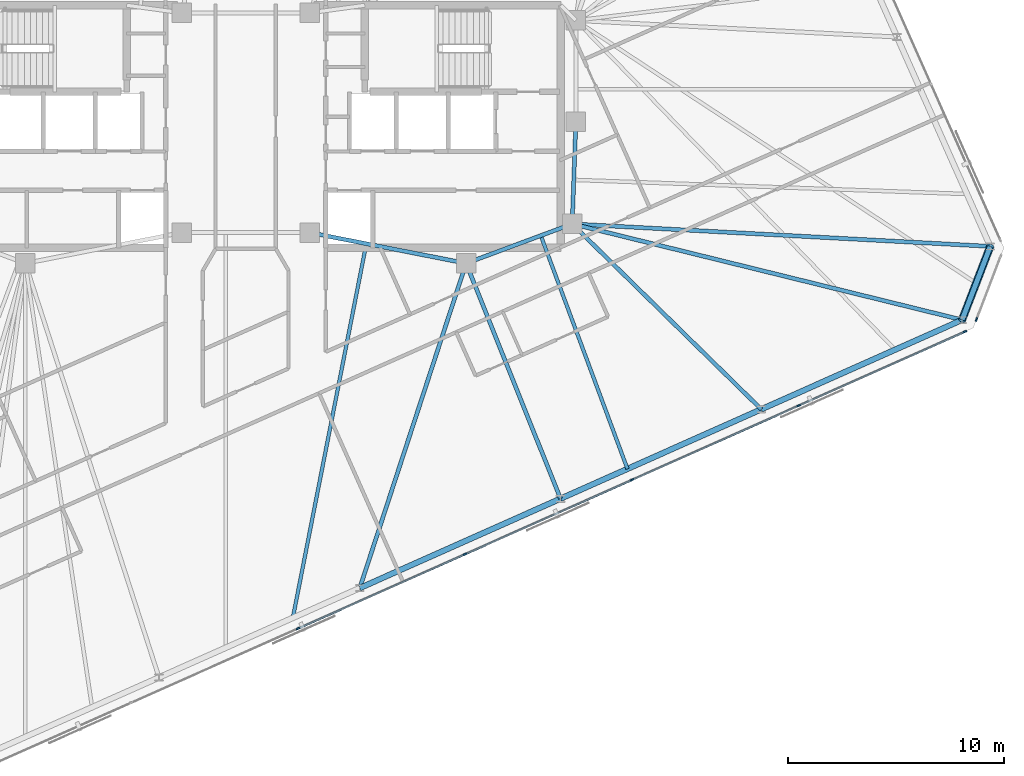
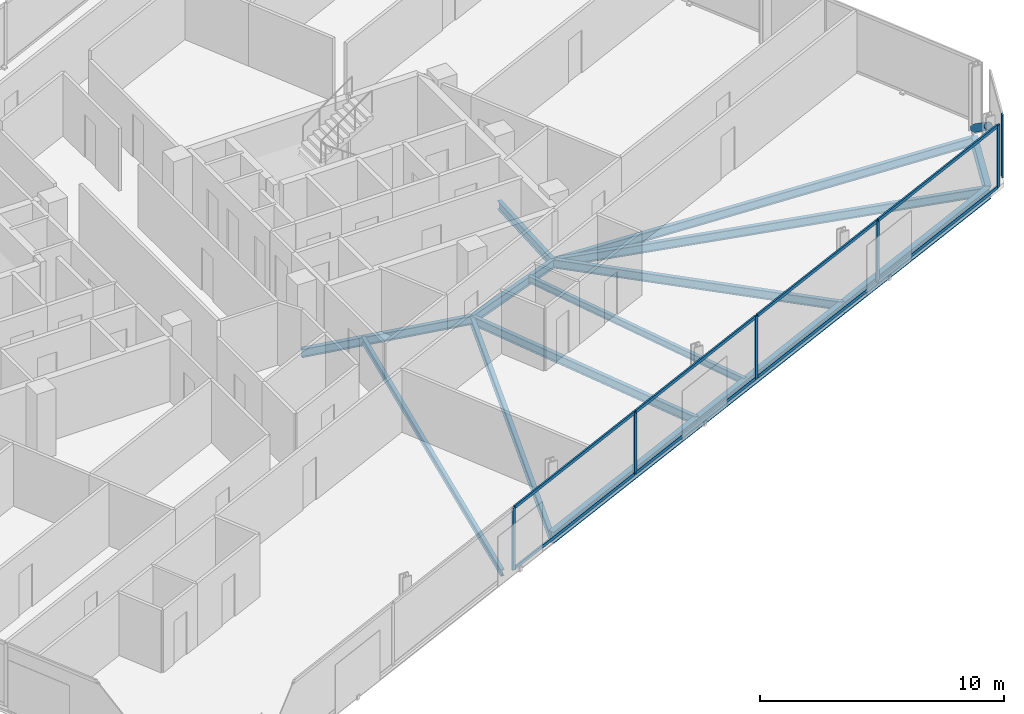
# One storey, part 7 of 18: 15 members, 14 beams, 2 elements without a shape of their own.
"""IFC4 building model written with IfcOpenShell, lengths in metres."""

from ifc_helpers import new_model, si_unit, direction, frame, origin, origin_2d, place, context, subcontext, project, spatial, rectangle, hollow_circle, i_section, extrude, material, material_profile, profile_set, type_object, element, aggregate, save


model = new_model("IFC4")

# Units and contexts
model_context = context("Model", 3, precision=1e-05, world=origin(), true_north=direction((0.0, 1.0)))
body_context = subcontext(model_context, "Body", "Model", "MODEL_VIEW")
ifc_project = project(units=[si_unit("LENGTHUNIT", "METRE"), si_unit("AREAUNIT", "SQUARE_METRE"), si_unit("VOLUMEUNIT", "CUBIC_METRE"), si_unit("PLANEANGLEUNIT", "RADIAN"), si_unit("MASSUNIT", "GRAM", prefix="KILO")], contexts=[model_context])

# Site, building, storey
site_placement = place(None, origin())
site = spatial("IfcSite", under=ifc_project, at=site_placement, CompositionType="ELEMENT")
building_placement = place(site_placement, origin())
building = spatial("IfcBuilding", under=site, at=building_placement, Name="Menara Jurai Vektor", CompositionType="ELEMENT")
storey_placement = place(building_placement, frame((0.0, 0.0, 285.25)))
storey = spatial("IfcBuildingStorey", under=building, at=storey_placement, Name="L76", CompositionType="ELEMENT", Elevation=285.25)

# Curtain wall, members
ifc_material_1 = material(Name="Anodised Pale Aluminium & Low-E Double Glazing", Category="aluminium")
curtain_wall_type = type_object("IfcCurtainWallType", Name="CW-BLK5", PredefinedType="NOTDEFINED", material=ifc_material_1)
curtain_wall_1_placement = place(storey_placement, origin())
curtain_wall_1 = element("IfcCurtainWall", 1, at=curtain_wall_1_placement, inside=storey, type_object=curtain_wall_type, Name="Unitised Curtain Wall L76 F01", PredefinedType="NOTDEFINED")
ifc_material_2 = material(Name="Anodised Pale Aluminium Mullion", Category="aluminium")
ifc_material_profile_1 = material_profile(ifc_material_2, rectangle(XDim=0.074951171875, YDim=0.175048828125, at=origin_2d()), Name="ALU MUL 75x175")
ifc_profile_set_1 = profile_set([ifc_material_profile_1], Name="Anodised Pale Aluminium Mullion")
member_type_1 = type_object("IfcMemberType", Name="CW-BLK5-MUL", PredefinedType="MULLION", material=ifc_profile_set_1)
member_1_placement = place(storey_placement, frame((2.417724609375, -23.190185546875, 0.0), z_axis=(0.0, 0.0, 1.0), x_axis=(-0.406735498684, 0.913545967158, 0.0)))
member_1 = element("IfcMember", 2, at=member_1_placement, type_object=member_type_1, Name="CW-05 mullion 3", PredefinedType="MULLION", context=body_context, shape_type="SweptSolid", body=[
    extrude(rectangle(XDim=0.074951171875, YDim=0.175048828125, at=origin_2d()), origin(), (0.0, 0.0, 1.0), 3.125),
])
member_2_placement = place(storey_placement, frame((10.1279296875, -19.75732421875, 0.0), z_axis=(0.0, 0.0, 1.0), x_axis=(-0.406735498684, 0.913545967158, 0.0)))
member_2 = element("IfcMember", 3, at=member_2_placement, type_object=member_type_1, Name="CW-05 mullion 4", PredefinedType="MULLION", context=body_context, shape_type="SweptSolid", body=[
    extrude(rectangle(XDim=0.074951171875, YDim=0.175048828125, at=origin_2d()), origin(), (0.0, 0.0, 1.0), 3.125),
])
member_3_placement = place(storey_placement, frame((17.83837890625, -16.324462890625, 0.0), z_axis=(0.0, 0.0, 1.0), x_axis=(-0.406735498684, 0.913545967158, 0.0)))
member_3 = element("IfcMember", 4, at=member_3_placement, type_object=member_type_1, Name="CW-05 mullion 5", PredefinedType="MULLION", context=body_context, shape_type="SweptSolid", body=[
    extrude(rectangle(XDim=0.074951171875, YDim=0.175048828125, at=origin_2d()), origin(), (0.0, 0.0, 1.0), 3.125),
])
member_4_placement = place(storey_placement, frame((25.548583984375, -12.8916015625, 0.0), z_axis=(0.0, 0.0, 1.0), x_axis=(-0.406735498684, 0.913545967158, 0.0)))
member_4 = element("IfcMember", 5, at=member_4_placement, type_object=member_type_1, Name="CW-05 mullion 6", PredefinedType="MULLION", context=body_context, shape_type="SweptSolid", body=[
    extrude(rectangle(XDim=0.074951171875, YDim=0.175048828125, at=origin_2d()), origin(), (0.0, 0.0, 1.0), 3.125),
])
member_5_placement = place(storey_placement, frame((33.224853515625, -9.47412109375, 0.0), z_axis=(0.0, 0.0, 1.0), x_axis=(-0.406735498684, 0.913545967158, 0.0)))
member_5 = element("IfcMember", 6, at=member_5_placement, type_object=member_type_1, Name="CW-05 mullion 7", PredefinedType="MULLION", context=body_context, shape_type="SweptSolid", body=[
    extrude(rectangle(XDim=0.074951171875, YDim=0.175048828125, at=origin_2d()), origin(), (0.0, 0.0, 1.0), 3.125),
])

# Curtain wall, member
curtain_wall_2_placement = place(storey_placement, origin())
curtain_wall_2 = element("IfcCurtainWall", 7, at=curtain_wall_2_placement, inside=storey, type_object=curtain_wall_type, Name="Unitised Curtain Wall L76 F02", PredefinedType="NOTDEFINED")
member_6_placement = place(storey_placement, frame((33.755859375, -8.914306640625, 0.0), z_axis=(0.0, 0.0, 1.0), x_axis=(-0.933578193639, 0.358373766287, 0.0)))
member_6 = element("IfcMember", 8, at=member_6_placement, type_object=member_type_1, Name="CW-05 mullion 1", PredefinedType="MULLION", context=body_context, shape_type="SweptSolid", body=[
    extrude(rectangle(XDim=0.074951171875, YDim=0.175048828125, at=origin_2d()), origin(), (0.0, 0.0, 1.0), 3.125),
])
aggregate(curtain_wall_2, [member_6])

# Member
ifc_material_3 = material(Name="Anodised Pale Aluminium Transom", Category="aluminium")
ifc_material_profile_2 = material_profile(ifc_material_3, rectangle(XDim=0.074951171875, YDim=0.155029296875, at=origin_2d()), Name="ALU TRN 75x155")
ifc_profile_set_2 = profile_set([ifc_material_profile_2], Name="Anodised Pale Aluminium Transom")
member_type_2 = type_object("IfcMemberType", Name="CW-BLK5-TRN", PredefinedType="USERDEFINED", material=ifc_profile_set_2)
member_7_placement = place(storey_placement, frame((2.451904296875, -23.175048828125, 0.03759765625), z_axis=(0.913546575494, 0.406734132331, 0.0), x_axis=(-0.406734132331, 0.913546575494, 0.0)))
member_7 = element("IfcMember", 9, at=member_7_placement, type_object=member_type_2, Name="CW-05 transom 3.1", ObjectType="TRANSOM", PredefinedType="USERDEFINED", context=body_context, shape_type="SweptSolid", body=[
    extrude(rectangle(XDim=0.074951171875, YDim=0.155029296875, at=origin_2d()), origin(), (0.0, 0.0, 1.0), 8.364990234375),
])

member_8_placement = place(storey_placement, frame((2.451904296875, -23.175048828125, 3.08740234375), z_axis=(0.913546575494, 0.406734132331, 0.0), x_axis=(-0.406734132331, 0.913546575494, 0.0)))
member_8 = element("IfcMember", 10, at=member_8_placement, type_object=member_type_2, Name="CW-05 transom 3.2", ObjectType="TRANSOM", PredefinedType="USERDEFINED", context=body_context, shape_type="SweptSolid", body=[
    extrude(rectangle(XDim=0.074951171875, YDim=0.155029296875, at=origin_2d()), origin(), (0.0, 0.0, 1.0), 8.364990234375),
])

member_9_placement = place(storey_placement, frame((10.162353515625, -19.7421875, 0.03759765625), z_axis=(0.913541747007, 0.406744977198, 0.0), x_axis=(-0.406744977198, 0.913541747007, 0.0)))
member_9 = element("IfcMember", 11, at=member_9_placement, type_object=member_type_2, Name="CW-05 transom 4.1", ObjectType="TRANSOM", PredefinedType="USERDEFINED", context=body_context, shape_type="SweptSolid", body=[
    extrude(rectangle(XDim=0.074951171875, YDim=0.155029296875, at=origin_2d()), origin(), (0.0, 0.0, 1.0), 8.36474609375),
])

member_10_placement = place(storey_placement, frame((10.162353515625, -19.7421875, 3.08740234375), z_axis=(0.913541747007, 0.406744977198, 0.0), x_axis=(-0.406744977198, 0.913541747007, 0.0)))
member_10 = element("IfcMember", 12, at=member_10_placement, type_object=member_type_2, Name="CW-05 transom 4.2", ObjectType="TRANSOM", PredefinedType="USERDEFINED", context=body_context, shape_type="SweptSolid", body=[
    extrude(rectangle(XDim=0.074951171875, YDim=0.155029296875, at=origin_2d()), origin(), (0.0, 0.0, 1.0), 8.36474609375),
])

member_11_placement = place(storey_placement, frame((17.87255859375, -16.309326171875, 0.03759765625), z_axis=(0.913546575494, 0.406734132331, 0.0), x_axis=(-0.406734132331, 0.913546575494, 0.0)))
member_11 = element("IfcMember", 13, at=member_11_placement, type_object=member_type_2, Name="CW-05 transom 5.1", ObjectType="TRANSOM", PredefinedType="USERDEFINED", context=body_context, shape_type="SweptSolid", body=[
    extrude(rectangle(XDim=0.074951171875, YDim=0.155029296875, at=origin_2d()), origin(), (0.0, 0.0, 1.0), 8.364990234375),
])

member_12_placement = place(storey_placement, frame((17.87255859375, -16.309326171875, 3.08740234375), z_axis=(0.913546575494, 0.406734132331, 0.0), x_axis=(-0.406734132331, 0.913546575494, 0.0)))
member_12 = element("IfcMember", 14, at=member_12_placement, type_object=member_type_2, Name="CW-05 transom 5.2", ObjectType="TRANSOM", PredefinedType="USERDEFINED", context=body_context, shape_type="SweptSolid", body=[
    extrude(rectangle(XDim=0.074951171875, YDim=0.155029296875, at=origin_2d()), origin(), (0.0, 0.0, 1.0), 8.364990234375),
])

member_13_placement = place(storey_placement, frame((25.5830078125, -12.87646484375, 0.03759765625), z_axis=(0.91353811338, 0.406753138159, 0.0), x_axis=(-0.406753138159, 0.91353811338, 0.0)))
member_13 = element("IfcMember", 15, at=member_13_placement, type_object=member_type_2, Name="CW-05 transom 6.1", ObjectType="TRANSOM", PredefinedType="USERDEFINED", context=body_context, shape_type="SweptSolid", body=[
    extrude(rectangle(XDim=0.074951171875, YDim=0.155029296875, at=origin_2d()), origin(), (0.0, 0.0, 1.0), 8.327392578125),
])

member_14_placement = place(storey_placement, frame((25.5830078125, -12.87646484375, 3.08740234375), z_axis=(0.91353811338, 0.406753138159, 0.0), x_axis=(-0.406753138159, 0.91353811338, 0.0)))
member_14 = element("IfcMember", 16, at=member_14_placement, type_object=member_type_2, Name="CW-05 transom 6.2", ObjectType="TRANSOM", PredefinedType="USERDEFINED", context=body_context, shape_type="SweptSolid", body=[
    extrude(rectangle(XDim=0.074951171875, YDim=0.155029296875, at=origin_2d()), origin(), (0.0, 0.0, 1.0), 8.327392578125),
])

aggregate(curtain_wall_1, [member_1, member_2, member_3, member_4, member_5, member_7, member_8, member_9, member_10, member_11, member_12, member_13, member_14])

# Beams
ifc_material_4 = material(Name="Steel S355", Category="steel")
ifc_material_profile_3 = material_profile(ifc_material_4, i_section(OverallWidth=0.18505859375, OverallDepth=0.429931640625, WebThickness=0.010986328125, FlangeThickness=0.01806640625, at=origin_2d()), Name="PG 430x185x76")
ifc_profile_set_3 = profile_set([ifc_material_profile_3], Name="Steel S355")
beam_type_1 = type_object("IfcBeamType", Name="STR-BM-430", PredefinedType="BEAM", material=ifc_profile_set_3)
beam_1_placement = place(storey_placement, frame((15.080078125, -4.5, -0.43994140625), z_axis=(0.035977314146, 0.999352606874, 0.0), x_axis=(-0.999352606874, 0.035977314146, 0.0)))
element("IfcBeam", 17, at=beam_1_placement, inside=storey, type_object=beam_type_1, Name="Core Ring Header Girder L76-CHE-E2", PredefinedType="BEAM", context=body_context, shape_type="SweptSolid", body=[
    extrude(i_section(OverallWidth=0.18505859375, OverallDepth=0.429931640625, WebThickness=0.010986328125, FlangeThickness=0.01806640625, at=origin_2d()), origin(), (0.0, 0.0, 1.0), 4.72314453125),
])
beam_2_placement = place(storey_placement, frame((10.179931640625, -6.320068359375, -0.43994140625), z_axis=(0.937424400887, 0.348188874925, 0.0), x_axis=(-0.348188874925, 0.937424400887, 0.0)))
element("IfcBeam", 18, at=beam_2_placement, inside=storey, type_object=beam_type_1, Name="Core Ring Header Girder L76-CHE-S1", PredefinedType="BEAM", context=body_context, shape_type="SweptSolid", body=[
    extrude(i_section(OverallWidth=0.18505859375, OverallDepth=0.429931640625, WebThickness=0.010986328125, FlangeThickness=0.01806640625, at=origin_2d()), origin(), (0.0, 0.0, 1.0), 5.227294921875),
])
beam_3_placement = place(storey_placement, frame((2.949951171875, -4.89990234375, -0.43994140625), z_axis=(0.981249044334, -0.192744164614, 0.0), x_axis=(0.192744164614, 0.981249044334, 0.0)))
element("IfcBeam", 19, at=beam_3_placement, inside=storey, type_object=beam_type_1, Name="Core Ring Header Girder L76-CHE-S2", PredefinedType="BEAM", context=body_context, shape_type="SweptSolid", body=[
    extrude(i_section(OverallWidth=0.18505859375, OverallDepth=0.429931640625, WebThickness=0.010986328125, FlangeThickness=0.01806640625, at=origin_2d()), origin(), (0.0, 0.0, 1.0), 7.3681640625),
])
beam_4_placement = place(storey_placement, frame((5.267578125, -21.3193359375, -0.43994140625), z_axis=(0.311239486704, 0.950331511587, 0.0), x_axis=(-0.950331511587, 0.311239486704, 0.0)))
element("IfcBeam", 20, at=beam_4_placement, inside=storey, type_object=beam_type_1, Name="Radial Floor Girder L76-S3", PredefinedType="BEAM", context=body_context, shape_type="SweptSolid", body=[
    extrude(i_section(OverallWidth=0.18505859375, OverallDepth=0.429931640625, WebThickness=0.010986328125, FlangeThickness=0.01806640625, at=origin_2d()), origin(), (0.0, 0.0, 1.0), 15.783203125),
])
beam_5_placement = place(storey_placement, frame((14.541015625, -17.1904296875, -0.43994140625), z_axis=(-0.372342852726, 0.928095253745, 0.0), x_axis=(-0.928095253745, -0.372342852726, 0.0)))
element("IfcBeam", 21, at=beam_5_placement, inside=storey, type_object=beam_type_1, Name="Radial Floor Girder L76-S4", PredefinedType="BEAM", context=body_context, shape_type="SweptSolid", body=[
    extrude(i_section(OverallWidth=0.18505859375, OverallDepth=0.429931640625, WebThickness=0.010986328125, FlangeThickness=0.01806640625, at=origin_2d()), origin(), (0.0, 0.0, 1.0), 11.712646484375),
])
beam_6_placement = place(storey_placement, frame((23.814697265625, -13.061767578125, -0.43994140625), z_axis=(-0.714137598149, 0.70000535063, 0.0), x_axis=(-0.70000535063, -0.714137598149, 0.0)))
element("IfcBeam", 22, at=beam_6_placement, inside=storey, type_object=beam_type_1, Name="Radial Floor Girder L76-S5", PredefinedType="BEAM", context=body_context, shape_type="SweptSolid", body=[
    extrude(i_section(OverallWidth=0.18505859375, OverallDepth=0.429931640625, WebThickness=0.010986328125, FlangeThickness=0.01806640625, at=origin_2d()), origin(), (0.0, 0.0, 1.0), 12.23095703125),
])
beam_7_placement = place(storey_placement, frame((33.088134765625, -8.932861328125, -0.43994140625), z_axis=(-0.971013515776, 0.239024584888, 0.0), x_axis=(-0.239024584888, -0.971013515776, 0.0)))
element("IfcBeam", 23, at=beam_7_placement, inside=storey, type_object=beam_type_1, Name="Radial Floor Girder L76-S6", PredefinedType="BEAM", context=body_context, shape_type="SweptSolid", body=[
    extrude(i_section(OverallWidth=0.18505859375, OverallDepth=0.429931640625, WebThickness=0.010986328125, FlangeThickness=0.01806640625, at=origin_2d()), origin(), (0.0, 0.0, 1.0), 18.545654296875),
])
beam_8_placement = place(storey_placement, frame((34.3916015625, -5.536865234375, -0.43994140625), z_axis=(-0.998561718759, 0.053614306189, 0.0), x_axis=(-0.053614306189, -0.998561718759, 0.0)))
element("IfcBeam", 24, at=beam_8_placement, inside=storey, type_object=beam_type_1, Name="Radial Floor Girder L76-E1", PredefinedType="BEAM", context=body_context, shape_type="SweptSolid", body=[
    extrude(i_section(OverallWidth=0.18505859375, OverallDepth=0.429931640625, WebThickness=0.010986328125, FlangeThickness=0.01806640625, at=origin_2d()), origin(), (0.0, 0.0, 1.0), 19.33935546875),
])

# Member
ifc_material_5 = material(Name="Steel S460", Category="steel")
ifc_material_profile_4 = material_profile(ifc_material_5, hollow_circle(Radius=0.177734375, WallThickness=0.01611328125, at=origin_2d()), Name="CHS 355.6x16")
ifc_profile_set_4 = profile_set([ifc_material_profile_4], Name="Steel S460")
member_type_3 = type_object("IfcMemberType", Name="STR-BR-356", PredefinedType="BRACE", material=ifc_profile_set_4)
member_15_placement = place(storey_placement, frame((34.3916015625, -5.536865234375, 0.14990234375), z_axis=(-0.290575939475, -0.757054002265, 0.585179340931), x_axis=(0.933592747566, -0.358335850414, 0.0)))
element("IfcMember", 25, at=member_15_placement, inside=storey, type_object=member_type_3, Name="Exoskeleton Corner Brace L76-1", PredefinedType="BRACE", context=body_context, shape_type="SweptSolid", body=[
    extrude(hollow_circle(Radius=0.177734375, WallThickness=0.01611328125, at=origin_2d()), origin(), (0.0, 0.0, 1.0), 4.48583984375),
])

# Beams
ifc_material_profile_5 = material_profile(ifc_material_4, i_section(OverallWidth=0.1650390625, OverallDepth=0.330078125, WebThickness=0.009033203125, FlangeThickness=0.013916015625, at=origin_2d()), Name="PG 330x165x46")
ifc_profile_set_5 = profile_set([ifc_material_profile_5], Name="Steel S355")
beam_type_2 = type_object("IfcBeamType", Name="STR-JS-330", PredefinedType="JOIST", material=ifc_profile_set_5)
beam_9_placement = place(storey_placement, frame((2.176513671875, -22.695556640625, -0.389892578125), z_axis=(0.192710503651, 0.981255655669, 0.0), x_axis=(-0.981255655669, 0.192710503651, 0.0)))
element("IfcBeam", 26, at=beam_9_placement, inside=storey, type_object=beam_type_2, Name="Radial Secondary Floor Joist L76-JS04", PredefinedType="JOIST", context=body_context, shape_type="SweptSolid", body=[
    extrude(i_section(OverallWidth=0.1650390625, OverallDepth=0.330078125, WebThickness=0.009033203125, FlangeThickness=0.013916015625, at=origin_2d()), origin(), (0.0, 0.0, 1.0), 17.61083984375),
])
beam_10_placement = place(storey_placement, frame((17.632080078125, -15.814208984375, -0.389892578125), z_axis=(-0.348172664726, 0.937430421705, 0.0), x_axis=(-0.937430421705, -0.348172664726, 0.0)))
element("IfcBeam", 27, at=beam_10_placement, inside=storey, type_object=beam_type_2, Name="Radial Secondary Floor Joist L76-JS05", PredefinedType="JOIST", context=body_context, shape_type="SweptSolid", body=[
    extrude(i_section(OverallWidth=0.1650390625, OverallDepth=0.330078125, WebThickness=0.009033203125, FlangeThickness=0.013916015625, at=origin_2d()), origin(), (0.0, 0.0, 1.0), 11.494873046875),
])
ifc_material_profile_6 = material_profile(ifc_material_4, i_section(OverallWidth=0.260009765625, OverallDepth=0.570068359375, WebThickness=0.013916015625, FlangeThickness=0.02392578125, at=origin_2d()), Name="PG 570x260x145")
ifc_profile_set_6 = profile_set([ifc_material_profile_6], Name="Steel S355")
beam_type_3 = type_object("IfcBeamType", Name="STR-SP-570", PredefinedType="SPANDREL", material=ifc_profile_set_6)
for number, where, z_axis, x_axis, name in (
    (28, (5.267578125, -21.3193359375, -0.510009765625), (0.913541582548, 0.406745346568, 0.0), (-0.406745346568, 0.913541582548, 0.0), "Exoskeleton Spandrel Beam L76-03"),
    (29, (14.541015625, -17.1904296875, -0.510009765625), (0.913554497648, 0.406716338284, 0.0), (-0.406716338284, 0.913554497648, 0.0), "Exoskeleton Spandrel Beam L76-04"),
    (30, (23.814697265625, -13.061767578125, -0.510009765625), (0.913541582548, 0.406745346568, 0.0), (-0.406745346568, 0.913541582548, 0.0), "Exoskeleton Spandrel Beam L76-05"),
):
    element("IfcBeam", number, at=place(storey_placement, frame(where, z_axis=z_axis, x_axis=x_axis)), inside=storey, type_object=beam_type_3, Name=name, PredefinedType="SPANDREL", context=body_context, shape_type="SweptSolid", body=[
        extrude(i_section(OverallWidth=0.260009765625, OverallDepth=0.570068359375, WebThickness=0.013916015625, FlangeThickness=0.02392578125, at=origin_2d()), origin(), (0.0, 0.0, 1.0), 10.151123046875),
    ])
beam_11_placement = place(storey_placement, frame((33.088134765625, -8.932861328125, -0.510009765625), z_axis=(0.358335850414, 0.933592747566, 0.0), x_axis=(-0.933592747566, 0.358335850414, 0.0)))
element("IfcBeam", 31, at=beam_11_placement, inside=storey, type_object=beam_type_3, Name="Exoskeleton Spandrel Beam L76-06", PredefinedType="SPANDREL", context=body_context, shape_type="SweptSolid", body=[
    extrude(i_section(OverallWidth=0.260009765625, OverallDepth=0.570068359375, WebThickness=0.013916015625, FlangeThickness=0.02392578125, at=origin_2d()), origin(), (0.0, 0.0, 1.0), 3.637451171875),
])

save(model, "model.ifc")
